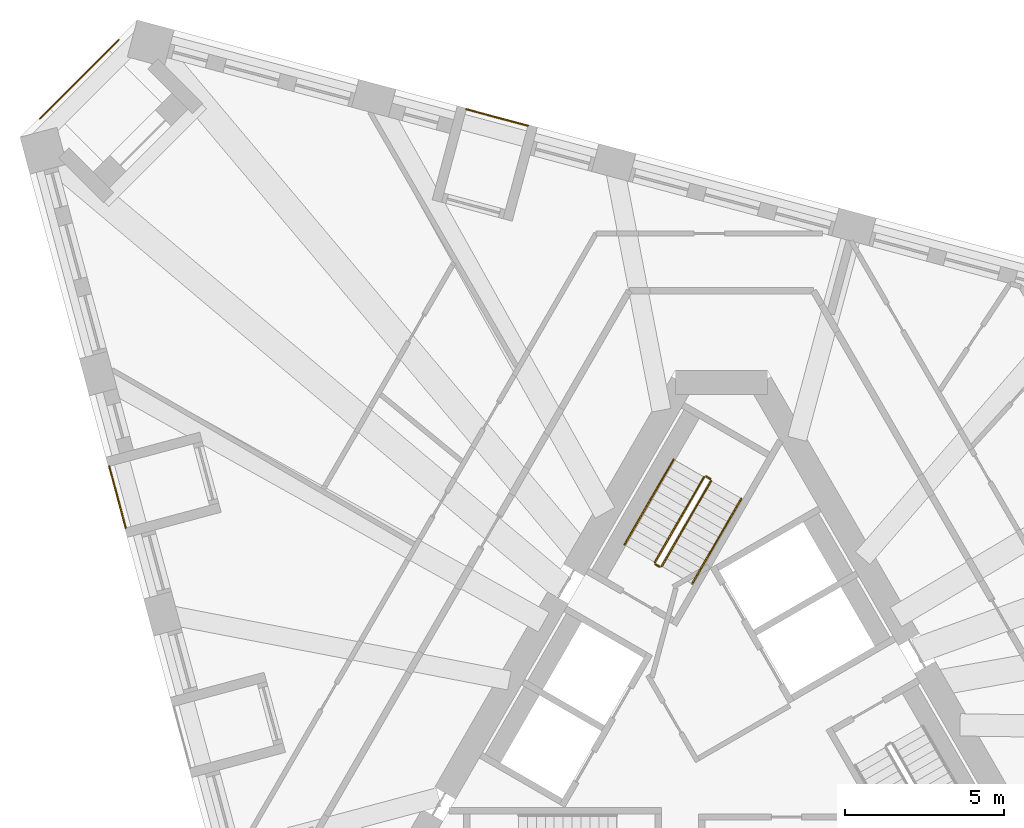
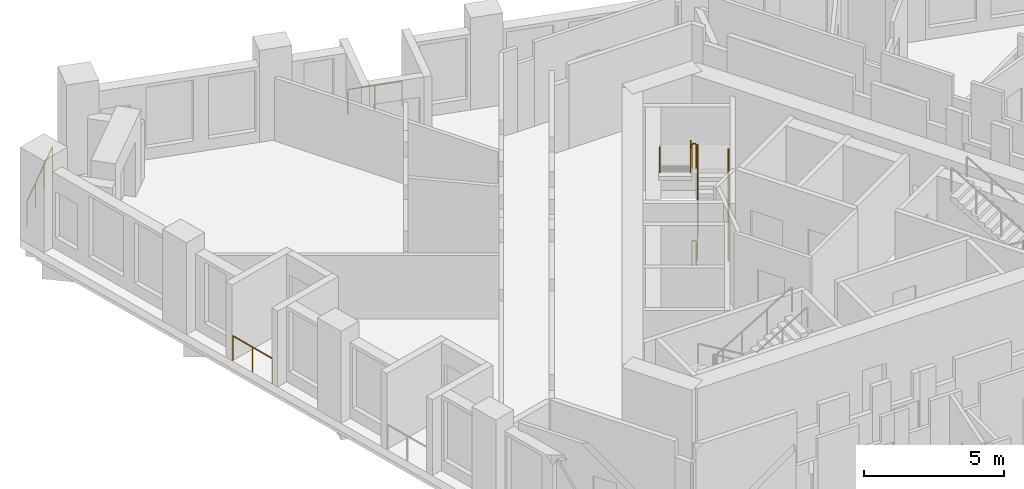
# One storey, part 12 of 13: 9 railings.
"""IFC4 building model written with IfcOpenShell, lengths in metres."""

import ifcopenshell
import ifcopenshell.guid

model = None  # the IFC model being written
_history = None  # IfcOwnerHistory: only IFC2X3 demands one
_inside = {}  # id of a spatial element -> (the spatial element, [elements in it])
_under = {}  # id of a project, library or spatial element -> (it, [spatial elements below it])
_declared = {}  # id of a project -> (the project, [libraries it declares])
_typed = {}  # id of a type object -> (the type object, [elements of that type])
_made_of = {}  # id of a material, layer set ... -> (it, [elements and type objects made of it])


def new_model(schema):
    """Start an empty IFC model of exactly this schema.

    Asked for "IFC4X3", IfcOpenShell would pick the latest addendum, in which some entities
    have other attributes; the version numbers below select the first issue.
    IFC2X3 requires an IfcOwnerHistory on every rooted entity: one is made here for all.
    """
    global model, _history
    if schema == "IFC4X3":
        model = ifcopenshell.file(schema_version=(4, 3, 0, 0))
    else:
        model = ifcopenshell.file(schema=schema)
    _inside.clear()
    _under.clear()
    _declared.clear()
    _typed.clear()
    _made_of.clear()
    _history = None
    if model.schema == "IFC2X3":
        org = make("IfcOrganization", Name="unknown")
        user = make(
            "IfcPersonAndOrganization",
            ThePerson=make("IfcPerson", FamilyName="unknown"),
            TheOrganization=org,
        )
        app = make(
            "IfcApplication",
            ApplicationDeveloper=org,
            Version="unknown",
            ApplicationFullName="unknown",
            ApplicationIdentifier="unknown",
        )
        _history = make(
            "IfcOwnerHistory",
            OwningUser=user,
            OwningApplication=app,
            ChangeAction="ADDED",
            CreationDate=0,
        )
    return model


def make(cls, **values):
    """One entity of the class cls with the attributes given. An attribute that is None is left unset."""
    return model.create_entity(
        cls, **{name: value for name, value in values.items() if value is not None}
    )


def rooted(cls, **values):
    """An entity with a GlobalId (a new one), such as an element, a storey or a relation."""
    return make(cls, GlobalId=ifcopenshell.guid.new(), OwnerHistory=_history, **values)


def si_unit(unit_type, name, prefix=None):
    """IfcSIUnit, for example si_unit("LENGTHUNIT", "METRE", prefix="MILLI")."""
    return make("IfcSIUnit", UnitType=unit_type, Prefix=prefix, Name=name)


def assignment(units):
    """IfcUnitAssignment: the units of a project."""
    return None if units is None else make("IfcUnitAssignment", Units=units)


def point(xyz):
    """IfcCartesianPoint."""
    return None if xyz is None else make("IfcCartesianPoint", Coordinates=xyz)


def direction(xyz):
    """IfcDirection."""
    return None if xyz is None else make("IfcDirection", DirectionRatios=xyz)


def frame(location, z_axis=None, x_axis=None):
    """IfcAxis2Placement3D, a coordinate frame: its origin and axes. An axis left out is left unset."""
    return make(
        "IfcAxis2Placement3D",
        Location=point(location),
        Axis=direction(z_axis),
        RefDirection=direction(x_axis),
    )


def frame_2d(location, x_axis=None):
    """IfcAxis2Placement2D, a coordinate frame in the plane: its origin and x axis."""
    return make(
        "IfcAxis2Placement2D", Location=point(location), RefDirection=direction(x_axis)
    )


def origin():
    """The frame at (0, 0, 0) with its axes left unset."""
    return frame((0.0, 0.0, 0.0))


def origin_2d():
    """The frame at (0, 0) in the plane with its x axis left unset."""
    return frame_2d((0.0, 0.0))


def place(relative_to, where):
    """IfcLocalPlacement: puts the frame where relative to a parent placement (None: the world)."""
    return make(
        "IfcLocalPlacement", PlacementRelTo=relative_to, RelativePlacement=where
    )


def context(
    kind, dimensions, precision=None, world=None, true_north=None, identifier=None
):
    """IfcGeometricRepresentationContext, for example the 3D "Model" context."""
    return make(
        "IfcGeometricRepresentationContext",
        ContextIdentifier=identifier,
        ContextType=kind,
        CoordinateSpaceDimension=dimensions,
        Precision=precision,
        WorldCoordinateSystem=world,
        TrueNorth=true_north,
    )


def subcontext(parent, identifier, kind, view, scale=None):
    """IfcGeometricRepresentationSubContext, for example "Body" below "Model"."""
    return make(
        "IfcGeometricRepresentationSubContext",
        ContextIdentifier=identifier,
        ContextType=kind,
        ParentContext=parent,
        TargetScale=scale,
        TargetView=view,
    )


def project(units=None, contexts=None):
    """IfcProject with its units and contexts."""
    return rooted(
        "IfcProject",
        Name="project",
        RepresentationContexts=contexts,
        UnitsInContext=assignment(units),
    )


def spatial(cls, under=None, at=None, **own):
    """A site, building, storey or space (cls), placed at a placement, below another one or the project."""
    s = rooted(cls, ObjectPlacement=at, **own)
    if under is not None:
        _under.setdefault(under.id(), (under, []))[1].append(s)
    return s


def profile(cls, at=None, kind="AREA", **sizes):
    """A parametric profile (cls). Its sizes go by their IFC names, for example OverallWidth=200.0."""
    return make(cls, ProfileType=kind, Position=at, **sizes)


def circle(**sizes):
    """IfcCircleProfileDef."""
    return profile("IfcCircleProfileDef", **sizes)


def extrude(swept, where, along, depth):
    """IfcExtrudedAreaSolid: the profile swept, set in the frame where, extruded along a direction by depth."""
    return make(
        "IfcExtrudedAreaSolid",
        SweptArea=swept,
        Position=where,
        ExtrudedDirection=direction(along),
        Depth=depth,
    )


def shape(context_of_items, identifier, shape_type, items):
    """IfcShapeRepresentation: the items that make up one representation, for example the "Body"."""
    return make(
        "IfcShapeRepresentation",
        ContextOfItems=context_of_items,
        RepresentationIdentifier=identifier,
        RepresentationType=shape_type,
        Items=items,
    )


def material(Name=None, Category=None):
    """IfcMaterial."""
    return make("IfcMaterial", Name=Name, Category=Category)


def made_of(thing, what):
    """Note that an element or type object is made of a material, layer set ...; save() writes the relation."""
    if what is not None:
        _made_of.setdefault(what.id(), (what, []))[1].append(thing)
    return thing


def type_object(cls, material=None, **own):
    """A type object (cls), such as IfcWallType, which elements share."""
    return made_of(rooted(cls, **own), material)


def element(
    cls,
    number,
    at=None,
    inside=None,
    cuts=None,
    type_object=None,
    material=None,
    context=None,
    identifier="Body",
    shape_type=None,
    held_by="IfcProductDefinitionShape",
    body=None,
    shapes=None,
    **own,
):
    """One element of the class cls, such as IfcWall. Its Tag is "e" and its number.

    at: its placement. inside: the storey or other place that contains it. cuts: it is an
    opening in that element (IfcRelVoidsElement). A single representation is given by context,
    identifier, shape_type and body (its items); several are given by shapes. held_by: the class
    of the entity that holds the representations. save() writes the other relations.
    """
    e = rooted(cls, Tag="e%d" % number, ObjectPlacement=at, **own)
    if body is not None:
        shapes = [shape(context, identifier, shape_type, body)]
    if shapes is not None:
        e.Representation = make(held_by, Representations=shapes)
    if inside is not None:
        _inside.setdefault(inside.id(), (inside, []))[1].append(e)
    if cuts is not None:
        rooted(
            "IfcRelVoidsElement", RelatingBuildingElement=cuts, RelatedOpeningElement=e
        )
    if type_object is not None:
        _typed.setdefault(type_object.id(), (type_object, []))[1].append(e)
    return made_of(e, material)


def aggregate(whole, parts):
    """IfcRelAggregates: a whole, such as a stair, and the parts it consists of."""
    return rooted("IfcRelAggregates", RelatingObject=whole, RelatedObjects=parts)


def save(model, path):
    """Write the relations noted so far, then the file.

    IfcRelAggregates (storeys below a building ...), IfcRelContainedInSpatialStructure (elements
    in a storey), IfcRelDefinesByType, IfcRelAssociatesMaterial and IfcRelDeclares: one each for
    every whole, place, type object, material and project.
    """
    for whole, parts in _under.values():
        aggregate(whole, parts)
    for where, things in _inside.values():
        rooted(
            "IfcRelContainedInSpatialStructure",
            RelatedElements=things,
            RelatingStructure=where,
        )
    for kind, things in _typed.values():
        rooted("IfcRelDefinesByType", RelatedObjects=things, RelatingType=kind)
    for what, things in _made_of.values():
        rooted("IfcRelAssociatesMaterial", RelatedObjects=things, RelatingMaterial=what)
    for by, libraries in _declared.values():
        rooted("IfcRelDeclares", RelatingContext=by, RelatedDefinitions=libraries)
    model.write(path)


model = new_model("IFC4")

# Units and contexts
model_context = context("Model", 3, precision=1e-05, world=origin(), true_north=direction((0.0, 1.0)))
body_context = subcontext(model_context, "Body", "Model", "MODEL_VIEW")
ifc_project = project(units=[si_unit("LENGTHUNIT", "METRE"), si_unit("AREAUNIT", "SQUARE_METRE"), si_unit("VOLUMEUNIT", "CUBIC_METRE"), si_unit("PLANEANGLEUNIT", "RADIAN"), si_unit("MASSUNIT", "GRAM", prefix="KILO")], contexts=[model_context])

# Site, building, storey
site_placement = place(None, origin())
site = spatial("IfcSite", under=ifc_project, at=site_placement, CompositionType="ELEMENT")
building_placement = place(site_placement, origin())
building = spatial("IfcBuilding", under=site, at=building_placement, Name="Tramontana Tower", CompositionType="ELEMENT")
storey_placement = place(building_placement, frame((0.0, 0.0, 204.0)))
storey = spatial("IfcBuildingStorey", under=building, at=storey_placement, Name="L47", CompositionType="ELEMENT", Elevation=204.0)

# Railings
ifc_material_1 = material(Name="Laminated glass balustrade", Category="glass")
railing_type_1 = type_object("IfcRailingType", Name="GD1 Loggia glass balustrade 1100", PredefinedType="BALUSTRADE", material=ifc_material_1)
railing_1_placement = place(storey_placement, frame((-19.193359375, 7.9951171875, 0.0)))
element("IfcRailing", 1, at=railing_1_placement, inside=storey, type_object=railing_type_1, Name="Loggia balustrade L47 G5S0.4", PredefinedType="BALUSTRADE", context=body_context, shape_type="SweptSolid", body=[
    extrude(circle(Radius=0.02392578125, at=origin_2d()), frame((0.0, 0.0, 1.076171875), z_axis=(0.258803270362, -0.96593005298, 0.0), x_axis=(0.96593005298, 0.258803270362, 0.0)), (0.0, 0.0, 1.0), 1.998046875),
    extrude(circle(Radius=0.02099609375, at=origin_2d()), origin(), (0.0, 0.0, 1.0), 1.052001953125),
    extrude(circle(Radius=0.02099609375, at=origin_2d()), frame((0.258544921875, -0.96484375, 0.0)), (0.0, 0.0, 1.0), 1.052001953125),
    extrude(circle(Radius=0.02099609375, at=origin_2d()), frame((0.51708984375, -1.929931640625, 0.0)), (0.0, 0.0, 1.0), 1.052001953125),
])
railing_2_placement = place(storey_placement, frame((-6.065185546875, 18.67626953125, 0.0)))
element("IfcRailing", 2, at=railing_2_placement, inside=storey, type_object=railing_type_1, Name="Loggia balustrade L47 G5S2.13", PredefinedType="BALUSTRADE", context=body_context, shape_type="SweptSolid", body=[
    extrude(circle(Radius=0.02392578125, at=origin_2d()), frame((0.0, 0.0, 1.076171875), z_axis=(-0.96593005298, 0.258803270362, 0.0), x_axis=(-0.258803270362, -0.96593005298, 0.0)), (0.0, 0.0, 1.0), 1.998046875),
    extrude(circle(Radius=0.02099609375, at=origin_2d()), origin(), (0.0, 0.0, 1.0), 1.052001953125),
    extrude(circle(Radius=0.02099609375, at=origin_2d()), frame((-0.96484375, 0.258544921875, 0.0)), (0.0, 0.0, 1.0), 1.052001953125),
    extrude(circle(Radius=0.02099609375, at=origin_2d()), frame((-1.929931640625, 0.51708984375, 0.0)), (0.0, 0.0, 1.0), 1.052001953125),
])
railing_3_placement = place(storey_placement, frame((-21.36865234375, 18.893798828125, 0.0)))
element("IfcRailing", 3, at=railing_3_placement, inside=storey, type_object=railing_type_1, Name="Corner loggia balustrade L47 K50", PredefinedType="BALUSTRADE", context=body_context, shape_type="SweptSolid", body=[
    extrude(circle(Radius=0.02392578125, at=origin_2d()), frame((0.0, 0.0, 1.076171875), z_axis=(0.707106781187, 0.707106781187, 0.0), x_axis=(-0.707106781187, 0.707106781187, 0.0)), (0.0, 0.0, 1.0), 3.5),
    extrude(circle(Radius=0.02099609375, at=origin_2d()), origin(), (0.0, 0.0, 1.0), 1.052001953125),
    extrude(circle(Radius=0.02099609375, at=origin_2d()), frame((0.824951171875, 0.824951171875, 0.0)), (0.0, 0.0, 1.0), 1.052001953125),
    extrude(circle(Radius=0.02099609375, at=origin_2d()), frame((1.64990234375, 1.64990234375, 0.0)), (0.0, 0.0, 1.0), 1.052001953125),
    extrude(circle(Radius=0.02099609375, at=origin_2d()), frame((2.474853515625, 2.474853515625, 0.0)), (0.0, 0.0, 1.0), 1.052001953125),
])
ifc_material_2 = material(Name="Painted steel", Category="steel")
railing_type_2 = type_object("IfcRailingType", Name="STAIR GUARD 1100", PredefinedType="GUARDRAIL", material=ifc_material_2)
railing_4_placement = place(storey_placement, frame((-1.867431640625, 4.865478515625, 0.166748046875)))
element("IfcRailing", 4, at=railing_4_placement, inside=storey, type_object=railing_type_2, Name="L47 ST1 stair guard 1", PredefinedType="GUARDRAIL", context=body_context, shape_type="SweptSolid", body=[
    extrude(circle(Radius=0.02392578125, at=origin_2d()), frame((0.0, 0.0, 1.076171875), z_axis=(0.429649414936, 0.744189839504, 0.511451721109), x_axis=(-0.866029832698, 0.499992328818, 0.0)), (0.0, 0.0, 1.0), 3.58447265625),
    extrude(circle(Radius=0.02099609375, at=origin_2d()), origin(), (0.0, 0.0, 1.0), 1.052001953125),
    extrude(circle(Radius=0.02099609375, at=origin_2d()), frame((0.513427734375, 0.88916015625, 0.611083984375)), (0.0, 0.0, 1.0), 1.052001953125),
    extrude(circle(Radius=0.02099609375, at=origin_2d()), frame((1.026611328125, 1.7783203125, 1.22216796875)), (0.0, 0.0, 1.0), 1.052001953125),
    extrude(circle(Radius=0.02099609375, at=origin_2d()), frame((1.5400390625, 2.66748046875, 1.833251953125)), (0.0, 0.0, 1.0), 1.052001953125),
])
railing_5_placement = place(storey_placement, frame((-0.5439453125, 7.657958984375, 2.166748046875)))
element("IfcRailing", 5, at=railing_5_placement, inside=storey, type_object=railing_type_2, Name="L47 ST1 stair guard 2", PredefinedType="GUARDRAIL", context=body_context, shape_type="SweptSolid", body=[
    extrude(circle(Radius=0.02392578125, at=origin_2d()), frame((0.0, 0.0, 1.076171875), z_axis=(-0.429649414936, -0.744189839504, 0.511451721109), x_axis=(0.866029832698, -0.499992328818, 0.0)), (0.0, 0.0, 1.0), 3.58447265625),
    extrude(circle(Radius=0.02099609375, at=origin_2d()), origin(), (0.0, 0.0, 1.0), 1.052001953125),
    extrude(circle(Radius=0.02099609375, at=origin_2d()), frame((-0.513427734375, -0.88916015625, 0.611083984375)), (0.0, 0.0, 1.0), 1.052001953125),
    extrude(circle(Radius=0.02099609375, at=origin_2d()), frame((-1.026611328125, -1.7783203125, 1.22216796875)), (0.0, 0.0, 1.0), 1.052001953125),
    extrude(circle(Radius=0.02099609375, at=origin_2d()), frame((-1.5400390625, -2.66748046875, 1.833251953125)), (0.0, 0.0, 1.0), 1.052001953125),
])
railing_6_placement = place(storey_placement, frame((-0.345703125, 7.601318359375, 2.0)))
element("IfcRailing", 6, at=railing_6_placement, inside=storey, type_object=railing_type_2, Name="L47 ST1 stair guard 3", PredefinedType="GUARDRAIL", context=body_context, shape_type="SweptSolid", body=[
    extrude(circle(Radius=0.02392578125, at=origin_2d()), frame((0.0, 0.0, 1.076171875), z_axis=(-0.866131372301, 0.499816412211, 0.0), x_axis=(-0.499816412211, -0.866131372301, 0.0)), (0.0, 0.0, 1.0), 0.14990234375),
    extrude(circle(Radius=0.02099609375, at=origin_2d()), origin(), (0.0, 0.0, 1.0), 1.052001953125),
    extrude(circle(Radius=0.02099609375, at=origin_2d()), frame((-0.1298828125, 0.074951171875, 0.0)), (0.0, 0.0, 1.0), 1.052001953125),
])
railing_7_placement = place(storey_placement, frame((-1.935791015625, 4.84716796875, 0.0)))
element("IfcRailing", 7, at=railing_7_placement, inside=storey, type_object=railing_type_2, Name="L47 ST1 stair guard 4", PredefinedType="GUARDRAIL", context=body_context, shape_type="SweptSolid", body=[
    extrude(circle(Radius=0.02392578125, at=origin_2d()), frame((0.0, 0.0, 1.076171875), z_axis=(-0.865426285481, 0.501036270542, 0.0), x_axis=(-0.501036270542, -0.865426285481, 0.0)), (0.0, 0.0, 1.0), 0.150146484375),
    extrude(circle(Radius=0.02099609375, at=origin_2d()), origin(), (0.0, 0.0, 1.0), 1.052001953125),
    extrude(circle(Radius=0.02099609375, at=origin_2d()), frame((-0.1298828125, 0.0751953125, 0.0)), (0.0, 0.0, 1.0), 1.052001953125),
])
ifc_material_3 = material(Name="Painted steel", Category="steel")
railing_type_3 = type_object("IfcRailingType", Name="STAIR HANDRAIL 900", PredefinedType="HANDRAIL", material=ifc_material_3)
railing_8_placement = place(storey_placement, frame((-0.914794921875, 4.315673828125, 0.166748046875)))
element("IfcRailing", 8, at=railing_8_placement, inside=storey, type_object=railing_type_3, Name="L47 ST1 stair handrail 1", PredefinedType="HANDRAIL", context=body_context, shape_type="SweptSolid", body=[
    extrude(circle(Radius=0.02392578125, at=origin_2d()), frame((0.0, 0.0, 0.8759765625), z_axis=(0.429671193721, 0.744159446956, 0.511477646425), x_axis=(-0.866010015463, 0.500026652407, 0.0)), (0.0, 0.0, 1.0), 3.584228515625),
    extrude(circle(Radius=0.02099609375, at=origin_2d()), origin(), (0.0, 0.0, 1.0), 0.851806640625),
    extrude(circle(Radius=0.02099609375, at=origin_2d()), frame((0.513427734375, 0.88916015625, 0.611083984375)), (0.0, 0.0, 1.0), 0.851806640625),
    extrude(circle(Radius=0.02099609375, at=origin_2d()), frame((1.026611328125, 1.778076171875, 1.22216796875)), (0.0, 0.0, 1.0), 0.851806640625),
    extrude(circle(Radius=0.02099609375, at=origin_2d()), frame((1.5400390625, 2.667236328125, 1.833251953125)), (0.0, 0.0, 1.0), 0.851806640625),
])
railing_9_placement = place(storey_placement, frame((-1.49658203125, 8.2080078125, 2.166748046875)))
element("IfcRailing", 9, at=railing_9_placement, inside=storey, type_object=railing_type_3, Name="L47 ST1 stair handrail 2", PredefinedType="HANDRAIL", context=body_context, shape_type="SweptSolid", body=[
    extrude(circle(Radius=0.02392578125, at=origin_2d()), frame((0.0, 0.0, 0.8759765625), z_axis=(-0.429649414936, -0.744189839504, 0.511451721109), x_axis=(0.866029832698, -0.499992328818, 0.0)), (0.0, 0.0, 1.0), 3.58447265625),
    extrude(circle(Radius=0.02099609375, at=origin_2d()), origin(), (0.0, 0.0, 1.0), 0.851806640625),
    extrude(circle(Radius=0.02099609375, at=origin_2d()), frame((-0.513427734375, -0.88916015625, 0.611083984375)), (0.0, 0.0, 1.0), 0.851806640625),
    extrude(circle(Radius=0.02099609375, at=origin_2d()), frame((-1.026611328125, -1.7783203125, 1.22216796875)), (0.0, 0.0, 1.0), 0.851806640625),
    extrude(circle(Radius=0.02099609375, at=origin_2d()), frame((-1.5400390625, -2.66748046875, 1.833251953125)), (0.0, 0.0, 1.0), 0.851806640625),
])

save(model, "model.ifc")
